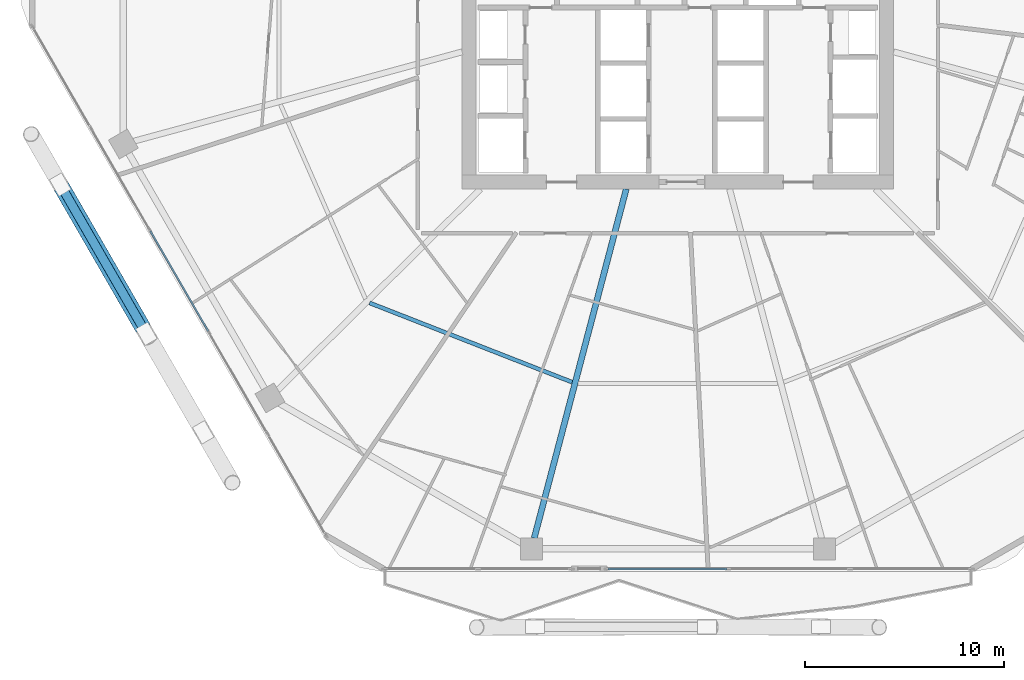
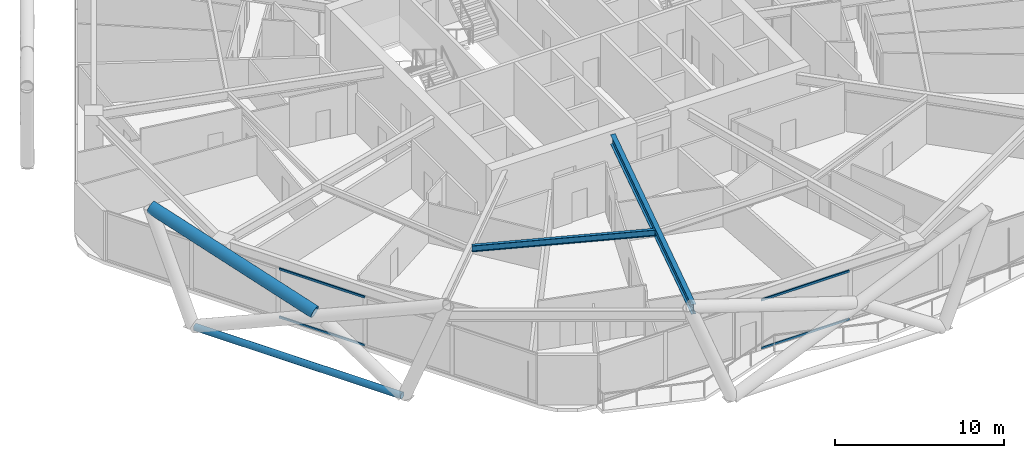
# One storey, part 4 of 35: 6 members, 2 beams, 2 elements without a shape of their own.
"""IFC4 building model written with IfcOpenShell, lengths in metres."""

from ifc_helpers import new_model, si_unit, direction, frame, origin, origin_2d, place, context, subcontext, project, spatial, hollow_rectangle, hollow_circle, i_section, extrude, material, material_profile, profile_set, type_object, element, aggregate, save


model = new_model("IFC4")

# Units and contexts
model_context = context("Model", 3, precision=1e-05, world=origin(), true_north=direction((0.0, 1.0)))
body_context = subcontext(model_context, "Body", "Model", "MODEL_VIEW")
ifc_project = project(units=[si_unit("LENGTHUNIT", "METRE"), si_unit("AREAUNIT", "SQUARE_METRE"), si_unit("VOLUMEUNIT", "CUBIC_METRE"), si_unit("PLANEANGLEUNIT", "RADIAN"), si_unit("MASSUNIT", "GRAM", prefix="KILO")], contexts=[model_context])

# Site, building, storey
site_placement = place(None, origin())
site = spatial("IfcSite", under=ifc_project, at=site_placement, CompositionType="ELEMENT")
building_placement = place(site_placement, origin())
building = spatial("IfcBuilding", under=site, at=building_placement, Name="Zuhravey Tower", CompositionType="ELEMENT")
storey_placement = place(building_placement, frame((0.0, 0.0, 115.199951171875)))
storey = spatial("IfcBuildingStorey", under=building, at=storey_placement, Name="L28", CompositionType="ELEMENT", Elevation=115.199951171875)

# Curtain wall, members
ifc_material_1 = material(Name="Thermally broken anodised aluminium", Category="aluminium")
curtain_wall_type = type_object("IfcCurtainWallType", Name="Zone 1-2 Residential Curtain Wall CW3", PredefinedType="NOTDEFINED", material=ifc_material_1)
curtain_wall_1_placement = place(storey_placement, origin())
curtain_wall_1 = element("IfcCurtainWall", 1, at=curtain_wall_1_placement, inside=storey, type_object=curtain_wall_type, Name="L28 CW3 CW-L28-F5-1", PredefinedType="NOTDEFINED")
ifc_material_2 = material(Name="Anodised aluminium", Category="aluminium")
ifc_material_profile_1 = material_profile(ifc_material_2, hollow_rectangle(XDim=0.090087890625, YDim=0.14990234375, WallThickness=0.0048828125, at=origin_2d()), Name="ALU-RHS-90x150x5")
ifc_profile_set_1 = profile_set([ifc_material_profile_1], Name="Anodised aluminium")
member_type_1 = type_object("IfcMemberType", Name="Curtain-Wall Transom 90x150", PredefinedType="USERDEFINED", material=ifc_profile_set_1)
member_1_placement = place(storey_placement, frame((38.47998046875, 3.04150390625, 0.045166015625), z_axis=(-1.0, 0.0, 0.0), x_axis=(0.0, -1.0, 0.0)))
member_1 = element("IfcMember", 2, at=member_1_placement, type_object=member_type_1, Name="CW3 transom 3.1", ObjectType="TRANSOM", PredefinedType="USERDEFINED", context=body_context, shape_type="SweptSolid", body=[
    extrude(hollow_rectangle(XDim=0.090087890625, YDim=0.14990234375, WallThickness=0.0048828125, at=origin_2d()), origin(), (0.0, 0.0, 1.0), 6.002197265625),
])
member_2_placement = place(storey_placement, frame((38.47998046875, 3.04150390625, 3.505126953125), z_axis=(-1.0, 0.0, 0.0), x_axis=(0.0, -1.0, 0.0)))
member_2 = element("IfcMember", 3, at=member_2_placement, type_object=member_type_1, Name="CW3 transom 3.2", ObjectType="TRANSOM", PredefinedType="USERDEFINED", context=body_context, shape_type="SweptSolid", body=[
    extrude(hollow_rectangle(XDim=0.090087890625, YDim=0.14990234375, WallThickness=0.0048828125, at=origin_2d()), origin(), (0.0, 0.0, 1.0), 6.002197265625),
])
aggregate(curtain_wall_1, [member_1, member_2])

curtain_wall_2_placement = place(storey_placement, origin())
curtain_wall_2 = element("IfcCurtainWall", 4, at=curtain_wall_2_placement, inside=storey, type_object=curtain_wall_type, Name="L28 CW3 CW-L28-F4-1", PredefinedType="NOTDEFINED")
member_3_placement = place(storey_placement, frame((12.378662109375, 14.996337890625, 0.045166015625), z_axis=(-0.499981042766, 0.866036348472, 0.0), x_axis=(-0.866036348472, -0.499981042766, 0.0)))
member_3 = element("IfcMember", 5, at=member_3_placement, type_object=member_type_1, Name="CW3 transom 3.1", ObjectType="TRANSOM", PredefinedType="USERDEFINED", context=body_context, shape_type="SweptSolid", body=[
    extrude(hollow_rectangle(XDim=0.090087890625, YDim=0.14990234375, WallThickness=0.0048828125, at=origin_2d()), origin(), (0.0, 0.0, 1.0), 5.829833984375),
])
member_4_placement = place(storey_placement, frame((12.378662109375, 14.996337890625, 3.505126953125), z_axis=(-0.499981042766, 0.866036348472, 0.0), x_axis=(-0.866036348472, -0.499981042766, 0.0)))
member_4 = element("IfcMember", 6, at=member_4_placement, type_object=member_type_1, Name="CW3 transom 3.2", ObjectType="TRANSOM", PredefinedType="USERDEFINED", context=body_context, shape_type="SweptSolid", body=[
    extrude(hollow_rectangle(XDim=0.090087890625, YDim=0.14990234375, WallThickness=0.0048828125, at=origin_2d()), origin(), (0.0, 0.0, 1.0), 5.829833984375),
])
aggregate(curtain_wall_2, [member_3, member_4])

# Members
ifc_material_3 = material(Name="Steel SM355", Category="steel")
ifc_material_profile_2 = material_profile(ifc_material_3, hollow_circle(Radius=0.228515625, WallThickness=0.02197265625, at=origin_2d()), Name="CHS-457.2x22")
ifc_profile_set_2 = profile_set([ifc_material_profile_2], Name="Steel SM355")
member_type_2 = type_object("IfcMemberType", Name="Exoskeleton Ring Tie CHS457x22", PredefinedType="CHORD", material=ifc_profile_set_2)
member_5_placement = place(storey_placement, frame((5.004150390625, 22.24951171875, -0.4638671875), z_axis=(0.499995593262, -0.866027948001, 0.0), x_axis=(0.866027948001, 0.499995593262, 0.0)))
element("IfcMember", 7, at=member_5_placement, inside=storey, type_object=member_type_2, Name="L28 Exoskeleton Face 4 Tie EXR1", PredefinedType="CHORD", context=body_context, shape_type="SweptSolid", body=[
    extrude(hollow_circle(Radius=0.228515625, WallThickness=0.02197265625, at=origin_2d()), origin(), (0.0, 0.0, 1.0), 14.107666015625),
])
ifc_material_4 = material(Name="Steel SM460", Category="steel")
ifc_material_profile_3 = material_profile(ifc_material_4, hollow_circle(Radius=0.406494140625, WallThickness=0.035888671875, at=origin_2d()), Name="CHS-812.8x36")
ifc_profile_set_3 = profile_set([ifc_material_profile_3], Name="Steel SM460")
member_type_3 = type_object("IfcMemberType", Name="Exoskeleton Zone 1 Diagrid CHS813x36", PredefinedType="BRACE", material=ifc_profile_set_3)
member_6_placement = place(storey_placement, frame((9.078369140625, 15.192626953125, 3.45947265625), z_axis=(-0.475191097731, 0.823054392152, 0.311086624908), x_axis=(-0.866025211119, -0.500000333706, 0.0)))
element("IfcMember", 8, at=member_6_placement, inside=storey, type_object=member_type_3, Name="L28 Face 4 Split Diagrid Brace 3B", PredefinedType="BRACE", context=body_context, shape_type="SweptSolid", body=[
    extrude(hollow_circle(Radius=0.406494140625, WallThickness=0.035888671875, at=origin_2d()), origin(), (0.0, 0.0, 1.0), 11.763427734375),
])

# Beams
ifc_material_profile_4 = material_profile(ifc_material_3, i_section(OverallWidth=0.300048828125, OverallDepth=0.699951171875, WebThickness=0.012939453125, FlangeThickness=0.02392578125, at=origin_2d()), Name="H-700x300x13x24")
ifc_profile_set_4 = profile_set([ifc_material_profile_4], Name="Steel SM355")
beam_type_1 = type_object("IfcBeamType", Name="Radial Primary Girder H700x300", PredefinedType="BEAM", material=ifc_profile_set_4)
beam_1_placement = place(storey_placement, frame((33.40185546875, 22.14697265625, 3.199951171875), z_axis=(-0.25498755891, -0.966944333869, 0.0), x_axis=(0.966944333869, -0.25498755891, 0.0)))
element("IfcBeam", 9, at=beam_1_placement, inside=storey, type_object=beam_type_1, Name="L28 RG1 BM-L28-RAD-09", PredefinedType="BEAM", context=body_context, shape_type="SweptSolid", body=[
    extrude(i_section(OverallWidth=0.300048828125, OverallDepth=0.699951171875, WebThickness=0.012939453125, FlangeThickness=0.02392578125, at=origin_2d()), origin(), (0.0, 0.0, 1.0), 18.1611328125),
])
ifc_material_profile_5 = material_profile(ifc_material_3, i_section(OverallWidth=0.199951171875, OverallDepth=0.449951171875, WebThickness=0.009033203125, FlangeThickness=0.013916015625, at=origin_2d()), Name="H-450x200x9x14")
ifc_profile_set_5 = profile_set([ifc_material_profile_5], Name="Steel SM355")
beam_type_2 = type_object("IfcBeamType", Name="Secondary Floor Joist H450x200", PredefinedType="JOIST", material=ifc_profile_set_5)
beam_2_placement = place(storey_placement, frame((20.49462890625, 16.418701171875, 3.324951171875), z_axis=(0.931216764731, -0.364465824302, 0.0), x_axis=(0.364465824302, 0.931216764731, 0.0)))
element("IfcBeam", 10, at=beam_2_placement, inside=storey, type_object=beam_type_2, Name="L28 SJ1 BM-L28-SJ-08-1", PredefinedType="JOIST", context=body_context, shape_type="SweptSolid", body=[
    extrude(i_section(OverallWidth=0.199951171875, OverallDepth=0.449951171875, WebThickness=0.009033203125, FlangeThickness=0.013916015625, at=origin_2d()), origin(), (0.0, 0.0, 1.0), 10.939453125),
])

save(model, "model.ifc")
